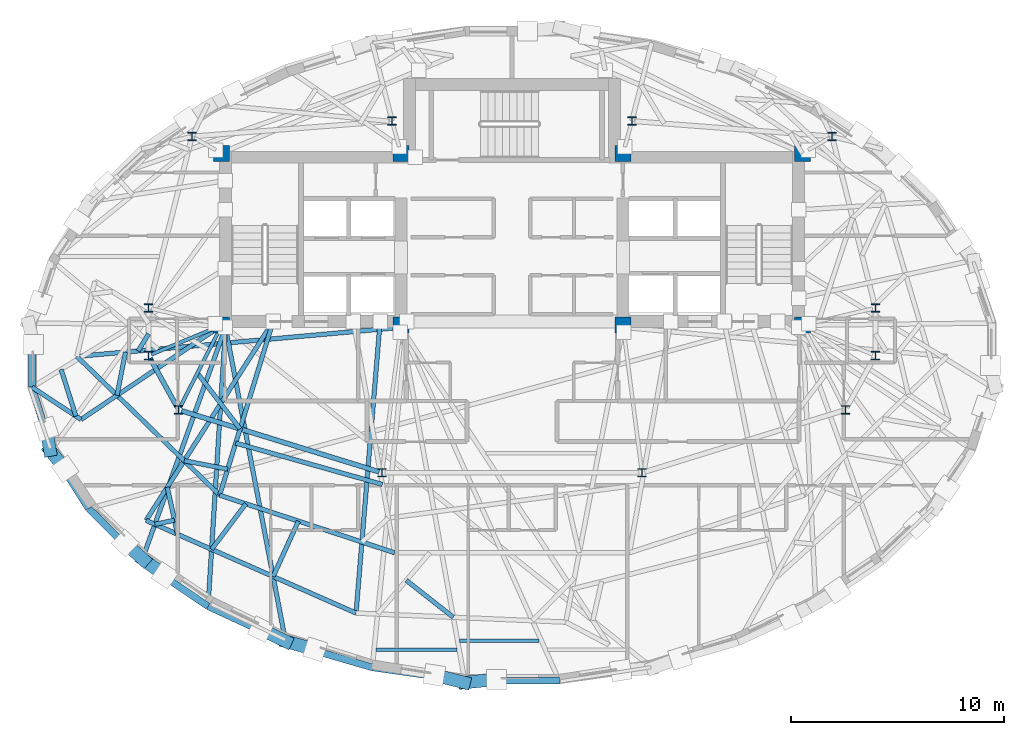
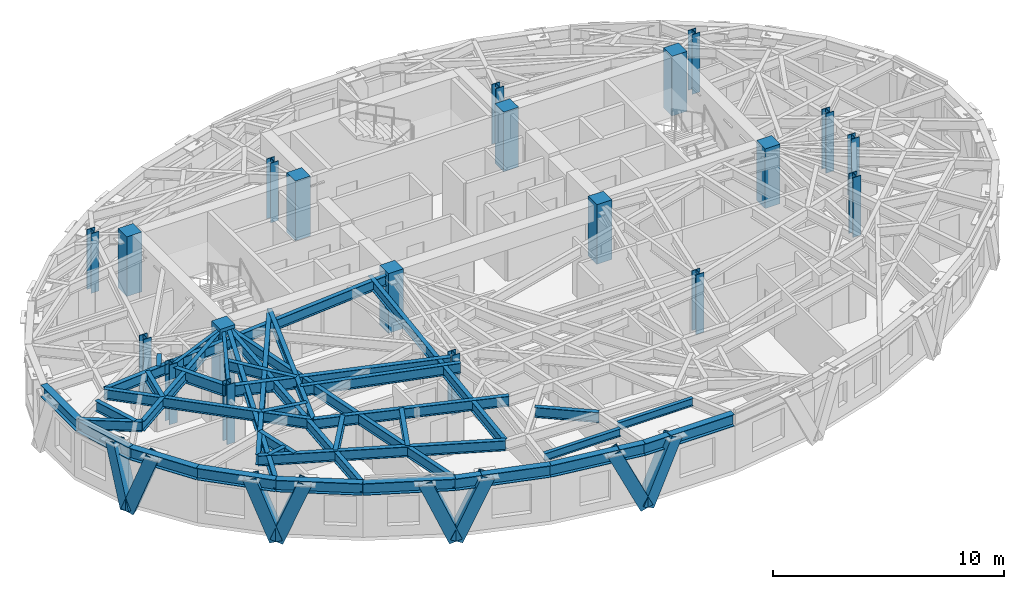
# One storey, part 1 of 14: 38 beams, 20 columns, 8 members.
"""IFC4 building model written with IfcOpenShell, lengths in metres."""

from ifc_helpers import new_model, si_unit, direction, frame, origin, origin_2d, place, context, subcontext, project, spatial, rectangle, hollow_rectangle, i_section, extrude, material, material_profile, profile_set, type_object, element, save


model = new_model("IFC4")

# Units and contexts
model_context = context("Model", 3, precision=1e-05, world=origin(), true_north=direction((0.0, 1.0)))
body_context = subcontext(model_context, "Body", "Model", "MODEL_VIEW")
ifc_project = project(units=[si_unit("LENGTHUNIT", "METRE"), si_unit("AREAUNIT", "SQUARE_METRE"), si_unit("VOLUMEUNIT", "CUBIC_METRE"), si_unit("PLANEANGLEUNIT", "RADIAN"), si_unit("MASSUNIT", "GRAM", prefix="KILO")], contexts=[model_context])

# Site, building, storey
site_placement = place(None, origin())
site = spatial("IfcSite", under=ifc_project, at=site_placement, CompositionType="ELEMENT")
building_placement = place(site_placement, origin())
building = spatial("IfcBuilding", under=site, at=building_placement, Name="Keldmark Tower", CompositionType="ELEMENT")
storey_placement = place(building_placement, frame((0.0, 0.0, 225.75)))
storey = spatial("IfcBuildingStorey", under=building, at=storey_placement, Name="L63", CompositionType="ELEMENT", Elevation=225.75)

# Columns
ifc_material_1 = material(Name="Concrete C50/60", Category="concrete")
ifc_material_profile_1 = material_profile(ifc_material_1, rectangle(XDim=0.75, YDim=0.75, at=origin_2d()), Name="RC750X750")
ifc_profile_set_1 = profile_set([ifc_material_profile_1], Name="Concrete C50/60")
column_type_1 = type_object("IfcColumnType", Name="Core Boundary Column RC750", PredefinedType="PILASTER", material=ifc_profile_set_1)
for number, where, z_axis, x_axis, name in (
    (1, (-13.60009765625, 1.39990234375, 0.0), (0.0, 0.0, 1.0), (1.0, 0.0, 0.0), "L63 Core Boundary Column CC-W1"),
    (2, (-13.60009765625, 9.449951171875, 0.0), (0.0, 0.0, 1.0), (1.0, 0.0, 0.0), "L63 Core Boundary Column CC-W2"),
    (3, (-5.199951171875, 1.39990234375, 0.0), (0.0, 0.0, 1.0), (1.0, 0.0, 0.0), "L63 Core Boundary Column CC-W3"),
    (4, (-5.199951171875, 9.449951171875, 0.0), (0.0, 0.0, 1.0), (1.0, 0.0, 0.0), "L63 Core Boundary Column CC-W4"),
    (5, (5.199951171875, 1.39990234375, 0.0), (0.0, 0.0, 1.0), (1.0, 0.0, 0.0), "L63 Core Boundary Column CC-E1"),
    (6, (5.199951171875, 9.449951171875, 0.0), (0.0, 0.0, 1.0), (1.0, 0.0, 0.0), "L63 Core Boundary Column CC-E2"),
    (7, (13.60009765625, 1.39990234375, 0.0), (0.0, 0.0, 1.0), (1.0, 0.0, 0.0), "L63 Core Boundary Column CC-E3"),
    (8, (13.60009765625, 9.449951171875, 0.0), (0.0, 0.0, 1.0), (1.0, 0.0, 0.0), "L63 Core Boundary Column CC-E4"),
):
    element("IfcColumn", number, at=place(storey_placement, frame(where, z_axis=z_axis, x_axis=x_axis)), inside=storey, type_object=column_type_1, Name=name, PredefinedType="PILASTER", context=body_context, shape_type="SweptSolid", body=[
        extrude(rectangle(XDim=0.75, YDim=0.75, at=origin_2d()), origin(), (0.0, 0.0, 1.0), 3.14990234375),
    ])
ifc_material_2 = material(Name="Steel ASTM A992 Grade 50", Category="steel")
ifc_material_profile_2 = material_profile(ifc_material_2, i_section(OverallWidth=0.39892578125, OverallDepth=0.386962890625, WebThickness=0.02099609375, FlangeThickness=0.033203125, at=origin_2d()), Name="W14X176")
ifc_profile_set_2 = profile_set([ifc_material_profile_2], Name="Steel ASTM A992 Grade 50")
column_type_2 = type_object("IfcColumnType", Name="Tower Gravity Column W14X176", PredefinedType="COLUMN", material=ifc_profile_set_2)
for number, where, z_axis, x_axis, name in (
    (9, (17.025634765625, 2.2080078125, 0.0), (0.0, 0.0, 1.0), (1.0, 0.0, 0.0), "L63 Tower Gravity Column TC-E1"),
    (10, (14.995849609375, 10.24365234375, 0.0), (0.0, 0.0, 1.0), (1.0, 0.0, 0.0), "L63 Tower Gravity Column TC-E4"),
    (11, (5.61865234375, 10.967041015625, 0.0), (0.0, 0.0, 1.0), (1.0, 0.0, 0.0), "L63 Tower Gravity Column TC-N2"),
    (12, (-5.61865234375, 10.967041015625, 0.0), (0.0, 0.0, 1.0), (1.0, 0.0, 0.0), "L63 Tower Gravity Column TC-N1"),
    (13, (-14.995849609375, 10.24365234375, 0.0), (0.0, 0.0, 1.0), (1.0, 0.0, 0.0), "L63 Tower Gravity Column TC-W4"),
    (14, (-17.025634765625, 2.2080078125, 0.0), (0.0, 0.0, 1.0), (1.0, 0.0, 0.0), "L63 Tower Gravity Column TC-W1"),
    (15, (-17.025634765625, -0.02392578125, 0.0), (0.0, 0.0, 1.0), (1.0, 0.0, 0.0), "L63 Tower Gravity Column TC-W5"),
    (16, (-15.6162109375, -2.5673828125, 0.0), (0.0, 0.0, 1.0), (1.0, 0.0, 0.0), "L63 Tower Gravity Column TC-W2"),
    (17, (-6.089599609375, -5.512939453125, 0.0), (0.0, 0.0, 1.0), (1.0, 0.0, 0.0), "L63 Tower Gravity Column TC-W3"),
    (18, (6.089599609375, -5.512939453125, 0.0), (0.0, 0.0, 1.0), (1.0, 0.0, 0.0), "L63 Tower Gravity Column TC-E3"),
    (19, (15.6162109375, -2.5673828125, 0.0), (0.0, 0.0, 1.0), (1.0, 0.0, 0.0), "L63 Tower Gravity Column TC-E2"),
    (20, (17.025634765625, -0.02392578125, 0.0), (0.0, 0.0, 1.0), (1.0, 0.0, 0.0), "L63 Tower Gravity Column TC-E5"),
):
    element("IfcColumn", number, at=place(storey_placement, frame(where, z_axis=z_axis, x_axis=x_axis)), inside=storey, type_object=column_type_2, Name=name, PredefinedType="COLUMN", context=body_context, shape_type="SweptSolid", body=[
        extrude(i_section(OverallWidth=0.39892578125, OverallDepth=0.386962890625, WebThickness=0.02099609375, FlangeThickness=0.033203125, at=origin_2d()), origin(), (0.0, 0.0, 1.0), 3.14990234375),
    ])

# Beams
ifc_material_3 = material(Name="Steel ASTM A992 Grade 50", Category="steel")
ifc_material_profile_3 = material_profile(ifc_material_3, i_section(OverallWidth=0.177978515625, OverallDepth=0.403076171875, WebThickness=0.007568359375, FlangeThickness=0.010986328125, at=origin_2d()), Name="W16X36")
ifc_profile_set_3 = profile_set([ifc_material_profile_3], Name="Steel ASTM A992 Grade 50")
beam_type_1 = type_object("IfcBeamType", Name="Composite Floor Joist W16X36", PredefinedType="JOIST", material=ifc_profile_set_3)
beam_1_placement = place(storey_placement, frame((-6.36572265625, -13.800048828125, 2.7685546875), z_axis=(1.0, 0.0, 0.0), x_axis=(0.0, 1.0, 0.0)))
element("IfcBeam", 21, at=beam_1_placement, inside=storey, type_object=beam_type_1, Name="L63 Composite Floor Joist J01", PredefinedType="JOIST", context=body_context, shape_type="SweptSolid", body=[
    extrude(i_section(OverallWidth=0.177978515625, OverallDepth=0.403076171875, WebThickness=0.007568359375, FlangeThickness=0.010986328125, at=origin_2d()), origin(), (0.0, 0.0, 1.0), 3.79248046875),
])
beam_2_placement = place(storey_placement, frame((-2.453857421875, -13.3798828125, 2.7685546875), z_axis=(1.0, 0.0, 0.0), x_axis=(0.0, 1.0, 0.0)))
element("IfcBeam", 22, at=beam_2_placement, inside=storey, type_object=beam_type_1, Name="L63 Composite Floor Joist J02", PredefinedType="JOIST", context=body_context, shape_type="SweptSolid", body=[
    extrude(i_section(OverallWidth=0.177978515625, OverallDepth=0.403076171875, WebThickness=0.007568359375, FlangeThickness=0.010986328125, at=origin_2d()), origin(), (0.0, 0.0, 1.0), 3.725830078125),
])

# Members
ifc_material_4 = material(Name="Steel ASTM A572 Grade 50", Category="steel")
ifc_material_profile_4 = material_profile(ifc_material_4, hollow_rectangle(XDim=0.60009765625, YDim=0.60009765625, WallThickness=0.034912109375, at=origin_2d()), Name="BOX600X600X35")
ifc_profile_set_4 = profile_set([ifc_material_profile_4], Name="Steel ASTM A572 Grade 50")
member_type = type_object("IfcMemberType", Name="Diagrid Zone 4 Brace BOX600X600X35", PredefinedType="BRACE", material=ifc_profile_set_4)
member_1_placement = place(storey_placement, frame((-21.648681640625, -4.4599609375, -0.260009765625), z_axis=(-0.052359262736, 0.30736826458, 0.950149071217), x_axis=(-0.985799271193, -0.16792795156, 0.0)))
element("IfcMember", 23, at=member_1_placement, inside=storey, type_object=member_type, Name="L63 Perimeter Diagrid Brace 09A", PredefinedType="BRACE", context=body_context, shape_type="SweptSolid", body=[
    extrude(hollow_rectangle(XDim=0.60009765625, YDim=0.60009765625, WallThickness=0.034912109375, at=origin_2d()), origin(), (0.0, 0.0, 1.0), 3.273193359375),
])
member_2_placement = place(storey_placement, frame((-21.651123046875, -4.448486328125, -0.260009765625), z_axis=(0.214858487327, -0.268665244016, 0.938964758168), x_axis=(0.780973315, 0.624564393203, 0.0)))
element("IfcMember", 24, at=member_2_placement, inside=storey, type_object=member_type, Name="L63 Perimeter Diagrid Brace 09B", PredefinedType="BRACE", context=body_context, shape_type="SweptSolid", body=[
    extrude(hollow_rectangle(XDim=0.60009765625, YDim=0.60009765625, WallThickness=0.034912109375, at=origin_2d()), origin(), (0.0, 0.0, 1.0), 3.312255859375),
])
member_3_placement = place(storey_placement, frame((-17.247802734375, -9.6005859375, -0.260009765625), z_axis=(-0.264157929949, 0.238629754547, 0.934492604727), x_axis=(-0.670341168398, -0.742053042546, 0.0)))
element("IfcMember", 25, at=member_3_placement, inside=storey, type_object=member_type, Name="L63 Perimeter Diagrid Brace 10A", PredefinedType="BRACE", context=body_context, shape_type="SweptSolid", body=[
    extrude(hollow_rectangle(XDim=0.60009765625, YDim=0.60009765625, WallThickness=0.034912109375, at=origin_2d()), origin(), (0.0, 0.0, 1.0), 3.328125),
])
member_4_placement = place(storey_placement, frame((-17.25439453125, -9.5908203125, -0.260009765625), z_axis=(0.29491050616, -0.218755106822, 0.930147298333), x_axis=(0.595760039793, 0.803162483552, 0.0)))
element("IfcMember", 26, at=member_4_placement, inside=storey, type_object=member_type, Name="L63 Perimeter Diagrid Brace 10B", PredefinedType="BRACE", context=body_context, shape_type="SweptSolid", body=[
    extrude(hollow_rectangle(XDim=0.60009765625, YDim=0.60009765625, WallThickness=0.034912109375, at=origin_2d()), origin(), (0.0, 0.0, 1.0), 3.34375),
])
member_5_placement = place(storey_placement, frame((-10.5751953125, -13.41943359375, -0.260009765625), z_axis=(-0.355151526053, 0.170143701429, 0.919194492154), x_axis=(-0.432051880962, -0.901848752373, 0.0)))
element("IfcMember", 27, at=member_5_placement, inside=storey, type_object=member_type, Name="L63 Perimeter Diagrid Brace 11A", PredefinedType="BRACE", context=body_context, shape_type="SweptSolid", body=[
    extrude(hollow_rectangle(XDim=0.60009765625, YDim=0.60009765625, WallThickness=0.034912109375, at=origin_2d()), origin(), (0.0, 0.0, 1.0), 3.383544921875),
])
member_6_placement = place(storey_placement, frame((-10.5849609375, -13.4130859375, -0.260009765625), z_axis=(0.398981240233, -0.111034535695, 0.910211679679), x_axis=(0.26810654072, 0.963389268584, 0.0)))
element("IfcMember", 28, at=member_6_placement, inside=storey, type_object=member_type, Name="L63 Perimeter Diagrid Brace 11B", PredefinedType="BRACE", context=body_context, shape_type="SweptSolid", body=[
    extrude(hollow_rectangle(XDim=0.60009765625, YDim=0.60009765625, WallThickness=0.034912109375, at=origin_2d()), origin(), (0.0, 0.0, 1.0), 3.4169921875),
])
member_7_placement = place(storey_placement, frame((-2.21923828125, -15.34326171875, -0.260009765625), z_axis=(-0.413469198157, 0.104095113257, 0.904548190851), x_axis=(-0.244141875712, -0.96973952406, 0.0)))
element("IfcMember", 29, at=member_7_placement, inside=storey, type_object=member_type, Name="L63 Perimeter Diagrid Brace 12A", PredefinedType="BRACE", context=body_context, shape_type="SweptSolid", body=[
    extrude(hollow_rectangle(XDim=0.60009765625, YDim=0.60009765625, WallThickness=0.034912109375, at=origin_2d()), origin(), (0.0, 0.0, 1.0), 3.438232421875),
])
member_8_placement = place(storey_placement, frame((-2.230712890625, -15.341064453125, -0.260009765625), z_axis=(0.433585186219, 0.04429817692, 0.900023087378), x_axis=(-0.101638103695, 0.994821439193, 0.0)))
element("IfcMember", 30, at=member_8_placement, inside=storey, type_object=member_type, Name="L63 Perimeter Diagrid Brace 12B", PredefinedType="BRACE", context=body_context, shape_type="SweptSolid", body=[
    extrude(hollow_rectangle(XDim=0.60009765625, YDim=0.60009765625, WallThickness=0.034912109375, at=origin_2d()), origin(), (0.0, 0.0, 1.0), 3.45556640625),
])

# Beams
ifc_material_5 = material(Name="Steel ASTM A992 Grade 50", Category="steel")
ifc_material_profile_5 = material_profile(ifc_material_5, i_section(OverallWidth=0.22802734375, OverallDepth=0.60302734375, WebThickness=0.010498046875, FlangeThickness=0.014892578125, at=origin_2d()), Name="W24X68")
ifc_profile_set_5 = profile_set([ifc_material_profile_5], Name="Steel ASTM A992 Grade 50")
beam_type_2 = type_object("IfcBeamType", Name="Primary Floor Girder W24X68", PredefinedType="BEAM", material=ifc_profile_set_5)
beam_3_placement = place(storey_placement, frame((-16.957763671875, -0.146484375, 2.66845703125), z_axis=(0.484719680408, -0.874669555561, 0.0), x_axis=(0.874669555561, 0.484719680408, 0.0)))
element("IfcBeam", 31, at=beam_3_placement, inside=storey, type_object=beam_type_2, Name="L63 Floor Ring Girder FG-R07", PredefinedType="BEAM", context=body_context, shape_type="SweptSolid", body=[
    extrude(i_section(OverallWidth=0.22802734375, OverallDepth=0.60302734375, WebThickness=0.010498046875, FlangeThickness=0.014892578125, at=origin_2d()), origin(), (0.0, 0.0, 1.0), 2.627685546875),
])
beam_4_placement = place(storey_placement, frame((-15.482421875, -2.60888671875, 2.66845703125), z_axis=(0.955383255089, -0.295368982622, 0.0), x_axis=(0.295368982622, 0.955383255089, 0.0)))
element("IfcBeam", 32, at=beam_4_placement, inside=storey, type_object=beam_type_2, Name="L63 Floor Ring Girder FG-R08", PredefinedType="BEAM", context=body_context, shape_type="SweptSolid", body=[
    extrude(i_section(OverallWidth=0.22802734375, OverallDepth=0.60302734375, WebThickness=0.010498046875, FlangeThickness=0.014892578125, at=origin_2d()), origin(), (0.0, 0.0, 1.0), 9.69140625),
])
ifc_material_6 = material(Name="Steel ASTM A992 Grade 50", Category="steel")
ifc_material_profile_6 = material_profile(ifc_material_6, i_section(OverallWidth=0.166015625, OverallDepth=0.529052734375, WebThickness=0.009765625, FlangeThickness=0.013671875, at=origin_2d()), Name="W21X50")
ifc_profile_set_6 = profile_set([ifc_material_profile_6], Name="Steel ASTM A992 Grade 50")
beam_type_3 = type_object("IfcBeamType", Name="Radial Tie Girder W21X50", PredefinedType="BEAM", material=ifc_profile_set_6)
beam_5_placement = place(storey_placement, frame((-16.896240234375, 0.02978515625, 2.70556640625), z_axis=(0.923403331902, 0.383831065226, 0.0), x_axis=(-0.383831065226, 0.923403331902, 0.0)))
element("IfcBeam", 33, at=beam_5_placement, inside=storey, type_object=beam_type_3, Name="L63 Floor Radial Girder FG-C07", PredefinedType="BEAM", context=body_context, shape_type="SweptSolid", body=[
    extrude(i_section(OverallWidth=0.166015625, OverallDepth=0.529052734375, WebThickness=0.009765625, FlangeThickness=0.013671875, at=origin_2d()), origin(), (0.0, 0.0, 1.0), 3.249755859375),
])
beam_6_placement = place(storey_placement, frame((-15.552734375, -2.442626953125, 2.70556640625), z_axis=(0.453004410574, 0.89150827478, 0.0), x_axis=(-0.89150827478, 0.453004410574, 0.0)))
element("IfcBeam", 34, at=beam_6_placement, inside=storey, type_object=beam_type_3, Name="L63 Floor Radial Girder FG-C08", PredefinedType="BEAM", context=body_context, shape_type="SweptSolid", body=[
    extrude(i_section(OverallWidth=0.166015625, OverallDepth=0.529052734375, WebThickness=0.009765625, FlangeThickness=0.013671875, at=origin_2d()), origin(), (0.0, 0.0, 1.0), 3.990234375),
])
ifc_material_7 = material(Name="Steel ASTM A992 Grade 50", Category="steel")
ifc_material_profile_7 = material_profile(ifc_material_7, i_section(OverallWidth=0.2099609375, OverallDepth=0.537109375, WebThickness=0.010986328125, FlangeThickness=0.017333984375, at=origin_2d()), Name="W21X68")
ifc_profile_set_7 = profile_set([ifc_material_profile_7], Name="Steel ASTM A992 Grade 50")
beam_type_4 = type_object("IfcBeamType", Name="Radial Tie Girder W21X68", PredefinedType="BEAM", material=ifc_profile_set_7)
beam_7_placement = place(storey_placement, frame((-17.025634765625, 0.994384765625, 2.701416015625), z_axis=(-0.523690742514, -0.851908449427, 0.0), x_axis=(0.851908449427, -0.523690742514, 0.0)))
element("IfcBeam", 35, at=beam_7_placement, inside=storey, type_object=beam_type_4, Name="L63 Framing Pin Header PH-001", PredefinedType="BEAM", context=body_context, shape_type="SweptSolid", body=[
    extrude(i_section(OverallWidth=0.2099609375, OverallDepth=0.537109375, WebThickness=0.010986328125, FlangeThickness=0.017333984375, at=origin_2d()), origin(), (0.0, 0.0, 1.0), 0.93798828125),
])
beam_8_placement = place(storey_placement, frame((-5.199951171875, 1.300048828125, 2.701416015625), z_axis=(-0.996000916079, -0.089343019709, 0.0), x_axis=(0.089343019709, -0.996000916079, 0.0)))
element("IfcBeam", 36, at=beam_8_placement, inside=storey, type_object=beam_type_4, Name="L63 Sub-Ring Step Girder STP1-M07", PredefinedType="BEAM", context=body_context, shape_type="SweptSolid", body=[
    extrude(i_section(OverallWidth=0.2099609375, OverallDepth=0.537109375, WebThickness=0.010986328125, FlangeThickness=0.017333984375, at=origin_2d()), origin(), (0.0, 0.0, 1.0), 15.245361328125),
])
beam_9_placement = place(storey_placement, frame((-14.7392578125, -0.841796875, 2.701416015625), z_axis=(0.60729864394, -0.794473635225, 0.0), x_axis=(0.794473635225, 0.60729864394, 0.0)))
element("IfcBeam", 37, at=beam_9_placement, inside=storey, type_object=beam_type_4, Name="L63 Framing Pin Header PH-002", PredefinedType="BEAM", context=body_context, shape_type="SweptSolid", body=[
    extrude(i_section(OverallWidth=0.2099609375, OverallDepth=0.537109375, WebThickness=0.010986328125, FlangeThickness=0.017333984375, at=origin_2d()), origin(), (0.0, 0.0, 1.0), 3.290771484375),
])
beam_10_placement = place(storey_placement, frame((-11.19287109375, 1.574951171875, 2.701416015625), z_axis=(-0.294033458394, -0.955795127287, 0.0), x_axis=(0.955795127287, -0.294033458394, 0.0)))
element("IfcBeam", 38, at=beam_10_placement, inside=storey, type_object=beam_type_4, Name="L63 Sub-Ring Step Girder STP1-M08", PredefinedType="BEAM", context=body_context, shape_type="SweptSolid", body=[
    extrude(i_section(OverallWidth=0.2099609375, OverallDepth=0.537109375, WebThickness=0.010986328125, FlangeThickness=0.017333984375, at=origin_2d()), origin(), (0.0, 0.0, 1.0), 8.51416015625),
])
beam_11_placement = place(storey_placement, frame((-12.9453125, -4.12158203125, 2.701416015625), z_axis=(0.962495934429, -0.271296104297, 0.0), x_axis=(0.271296104297, 0.962495934429, 0.0)))
element("IfcBeam", 39, at=beam_11_placement, inside=storey, type_object=beam_type_4, Name="L63 Framing Pin Header PH-003", PredefinedType="BEAM", context=body_context, shape_type="SweptSolid", body=[
    extrude(i_section(OverallWidth=0.2099609375, OverallDepth=0.537109375, WebThickness=0.010986328125, FlangeThickness=0.017333984375, at=origin_2d()), origin(), (0.0, 0.0, 1.0), 7.139892578125),
])
beam_12_placement = place(storey_placement, frame((-20.38427734375, -0.06201171875, 2.701416015625), z_axis=(0.717074138829, -0.696996900584, 0.0), x_axis=(0.696996900584, 0.717074138829, 0.0)))
element("IfcBeam", 40, at=beam_12_placement, inside=storey, type_object=beam_type_4, Name="L63 Perimeter Collector Ring Beam CRG1-M07", PredefinedType="BEAM", context=body_context, shape_type="SweptSolid", body=[
    extrude(i_section(OverallWidth=0.2099609375, OverallDepth=0.537109375, WebThickness=0.010986328125, FlangeThickness=0.017333984375, at=origin_2d()), origin(), (0.0, 0.0, 1.0), 9.32666015625),
])
beam_13_placement = place(storey_placement, frame((-13.6962890625, -6.562744140625, 2.701416015625), z_axis=(0.949865412002, -0.312659078043, 0.0), x_axis=(0.312659078043, 0.949865412002, 0.0)))
element("IfcBeam", 41, at=beam_13_placement, inside=storey, type_object=beam_type_4, Name="L63 Perimeter Collector Ring Beam CRG1-M08", PredefinedType="BEAM", context=body_context, shape_type="SweptSolid", body=[
    extrude(i_section(OverallWidth=0.2099609375, OverallDepth=0.537109375, WebThickness=0.010986328125, FlangeThickness=0.017333984375, at=origin_2d()), origin(), (0.0, 0.0, 1.0), 8.625244140625),
])
beam_14_placement = place(storey_placement, frame((-13.32080078125, -5.342041015625, 2.701416015625), z_axis=(-0.981796843446, 0.189934089095, 0.0), x_axis=(-0.189934089095, -0.981796843446, 0.0)))
element("IfcBeam", 42, at=beam_14_placement, inside=storey, type_object=beam_type_4, Name="L63 Framing Pin Header PH-008", PredefinedType="BEAM", context=body_context, shape_type="SweptSolid", body=[
    extrude(i_section(OverallWidth=0.2099609375, OverallDepth=0.537109375, WebThickness=0.010986328125, FlangeThickness=0.017333984375, at=origin_2d()), origin(), (0.0, 0.0, 1.0), 2.07470703125),
])
beam_15_placement = place(storey_placement, frame((-11.19287109375, 1.574951171875, 2.701416015625), z_axis=(-0.538149269773, -0.842849549708, 0.0), x_axis=(0.842849549708, -0.538149269773, 0.0)))
element("IfcBeam", 43, at=beam_15_placement, inside=storey, type_object=beam_type_4, Name="L63 Sub-Ring Step Girder STP2-M08", PredefinedType="BEAM", context=body_context, shape_type="SweptSolid", body=[
    extrude(i_section(OverallWidth=0.2099609375, OverallDepth=0.537109375, WebThickness=0.010986328125, FlangeThickness=0.017333984375, at=origin_2d()), origin(), (0.0, 0.0, 1.0), 11.05712890625),
])
beam_16_placement = place(storey_placement, frame((-6.1787109375, 1.574951171875, 2.701416015625), z_axis=(-0.082277580247, -0.996609451986, 0.0), x_axis=(0.996609451986, -0.082277580247, 0.0)))
element("IfcBeam", 44, at=beam_16_placement, inside=storey, type_object=beam_type_4, Name="L63 Sub-Ring Step Girder STP2-M09", PredefinedType="BEAM", context=body_context, shape_type="SweptSolid", body=[
    extrude(i_section(OverallWidth=0.2099609375, OverallDepth=0.537109375, WebThickness=0.010986328125, FlangeThickness=0.017333984375, at=origin_2d()), origin(), (0.0, 0.0, 1.0), 13.708740234375),
])
beam_17_placement = place(storey_placement, frame((-17.143310546875, -7.74462890625, 2.701416015625), z_axis=(0.914812465318, -0.403878884443, 0.0), x_axis=(0.403878884443, 0.914812465318, 0.0)))
element("IfcBeam", 45, at=beam_17_placement, inside=storey, type_object=beam_type_4, Name="L63 Perimeter Collector Ring Beam CRG2-M08", PredefinedType="BEAM", context=body_context, shape_type="SweptSolid", body=[
    extrude(i_section(OverallWidth=0.2099609375, OverallDepth=0.537109375, WebThickness=0.010986328125, FlangeThickness=0.017333984375, at=origin_2d()), origin(), (0.0, 0.0, 1.0), 10.752685546875),
])
beam_18_placement = place(storey_placement, frame((-18.106689453125, 0.142333984375, 2.701416015625), z_axis=(-0.193867785279, -0.98102766619, 0.0), x_axis=(0.98102766619, -0.193867785279, 0.0)))
element("IfcBeam", 46, at=beam_18_placement, inside=storey, type_object=beam_type_4, Name="L63 Framing Pin Header PH-022", PredefinedType="BEAM", context=body_context, shape_type="SweptSolid", body=[
    extrude(i_section(OverallWidth=0.2099609375, OverallDepth=0.537109375, WebThickness=0.010986328125, FlangeThickness=0.017333984375, at=origin_2d()), origin(), (0.0, 0.0, 1.0), 2.06787109375),
])
beam_19_placement = place(storey_placement, frame((-13.60009765625, 1.39990234375, 2.701416015625), z_axis=(-0.830917336648, -0.556395883933, 0.0), x_axis=(0.556395883933, -0.830917336648, 0.0)))
element("IfcBeam", 47, at=beam_19_placement, inside=storey, type_object=beam_type_4, Name="L63 Intermediate Radial Step Girder RT-18M", PredefinedType="BEAM", context=body_context, shape_type="SweptSolid", body=[
    extrude(i_section(OverallWidth=0.2099609375, OverallDepth=0.537109375, WebThickness=0.010986328125, FlangeThickness=0.017333984375, at=origin_2d()), origin(), (0.0, 0.0, 1.0), 7.935546875),
])
beam_20_placement = place(storey_placement, frame((-22.484130859375, -1.501708984375, 2.701416015625), z_axis=(0.834260081953, -0.551371123346, 0.0), x_axis=(0.551371123346, 0.834260081953, 0.0)))
element("IfcBeam", 48, at=beam_20_placement, inside=storey, type_object=beam_type_4, Name="L63 Local Collector Chord RT-18C", PredefinedType="BEAM", context=body_context, shape_type="SweptSolid", body=[
    extrude(i_section(OverallWidth=0.2099609375, OverallDepth=0.537109375, WebThickness=0.010986328125, FlangeThickness=0.017333984375, at=origin_2d()), origin(), (0.0, 0.0, 1.0), 2.745361328125),
])
beam_21_placement = place(storey_placement, frame((-21.125244140625, -0.6689453125, 2.701416015625), z_axis=(0.302194390435, -0.953246321991, 0.0), x_axis=(0.953246321991, 0.302194390435, 0.0)))
element("IfcBeam", 49, at=beam_21_placement, inside=storey, type_object=beam_type_4, Name="L63 Framing Pin Header PH-023", PredefinedType="BEAM", context=body_context, shape_type="SweptSolid", body=[
    extrude(i_section(OverallWidth=0.2099609375, OverallDepth=0.537109375, WebThickness=0.010986328125, FlangeThickness=0.017333984375, at=origin_2d()), origin(), (0.0, 0.0, 1.0), 2.296875),
])
beam_22_placement = place(storey_placement, frame((-15.667724609375, -8.39599609375, 2.701416015625), z_axis=(-0.213690431786, 0.976901427659, 0.0), x_axis=(-0.976901427659, -0.213690431786, 0.0)))
element("IfcBeam", 50, at=beam_22_placement, inside=storey, type_object=beam_type_4, Name="L63 Framing Pin Header PH-024", PredefinedType="BEAM", context=body_context, shape_type="SweptSolid", body=[
    extrude(i_section(OverallWidth=0.2099609375, OverallDepth=0.537109375, WebThickness=0.010986328125, FlangeThickness=0.017333984375, at=origin_2d()), origin(), (0.0, 0.0, 1.0), 2.2587890625),
])
beam_23_placement = place(storey_placement, frame((-15.8125, -7.734130859375, 2.701416015625), z_axis=(-0.978791837537, -0.204857362013, 0.0), x_axis=(0.204857362013, -0.978791837537, 0.0)))
element("IfcBeam", 51, at=beam_23_placement, inside=storey, type_object=beam_type_4, Name="L63 Framing Pin Header PH-025", PredefinedType="BEAM", context=body_context, shape_type="SweptSolid", body=[
    extrude(i_section(OverallWidth=0.2099609375, OverallDepth=0.537109375, WebThickness=0.010986328125, FlangeThickness=0.017333984375, at=origin_2d()), origin(), (0.0, 0.0, 1.0), 0.939208984375),
])
beam_24_placement = place(storey_placement, frame((-13.425048828125, 1.300048828125, 2.701416015625), z_axis=(-0.337367308761, -0.941373092339, 0.0), x_axis=(0.941373092339, -0.337367308761, 0.0)))
element("IfcBeam", 52, at=beam_24_placement, inside=storey, type_object=beam_type_4, Name="L63 Perimeter Radial Tie Girder RT-20", PredefinedType="BEAM", context=body_context, shape_type="SweptSolid", body=[
    extrude(i_section(OverallWidth=0.2099609375, OverallDepth=0.537109375, WebThickness=0.010986328125, FlangeThickness=0.017333984375, at=origin_2d()), origin(), (0.0, 0.0, 1.0), 11.639404296875),
])
beam_25_placement = place(storey_placement, frame((-12.46728515625, -6.96728515625, 2.701416015625), z_axis=(-0.601681185776, -0.798736346164, 0.0), x_axis=(0.798736346164, -0.601681185776, 0.0)))
element("IfcBeam", 53, at=beam_25_placement, inside=storey, type_object=beam_type_4, Name="L63 Framing Pin Header PH-026", PredefinedType="BEAM", context=body_context, shape_type="SweptSolid", body=[
    extrude(i_section(OverallWidth=0.2099609375, OverallDepth=0.537109375, WebThickness=0.010986328125, FlangeThickness=0.017333984375, at=origin_2d()), origin(), (0.0, 0.0, 1.0), 2.669921875),
])
beam_26_placement = place(storey_placement, frame((-13.425048828125, 1.300048828125, 2.701416015625), z_axis=(-0.062263354486, -0.998059755069, 0.0), x_axis=(0.998059755069, -0.062263354486, 0.0)))
element("IfcBeam", 54, at=beam_26_placement, inside=storey, type_object=beam_type_4, Name="L63 Perimeter Radial Tie Girder RT-21", PredefinedType="BEAM", context=body_context, shape_type="SweptSolid", body=[
    extrude(i_section(OverallWidth=0.2099609375, OverallDepth=0.537109375, WebThickness=0.010986328125, FlangeThickness=0.017333984375, at=origin_2d()), origin(), (0.0, 0.0, 1.0), 13.092529296875),
])
beam_27_placement = place(storey_placement, frame((-10.009521484375, -7.7763671875, 2.701416015625), z_axis=(-0.414428359485, -0.910081938539, 0.0), x_axis=(0.910081938539, -0.414428359485, 0.0)))
element("IfcBeam", 55, at=beam_27_placement, inside=storey, type_object=beam_type_4, Name="L63 Framing Pin Header PH-027", PredefinedType="BEAM", context=body_context, shape_type="SweptSolid", body=[
    extrude(i_section(OverallWidth=0.2099609375, OverallDepth=0.537109375, WebThickness=0.010986328125, FlangeThickness=0.017333984375, at=origin_2d()), origin(), (0.0, 0.0, 1.0), 2.8525390625),
])
beam_28_placement = place(storey_placement, frame((-13.425048828125, 1.300048828125, 2.701416015625), z_axis=(0.187941156685, -0.982180289776, 0.0), x_axis=(0.982180289776, 0.187941156685, 0.0)))
element("IfcBeam", 56, at=beam_28_placement, inside=storey, type_object=beam_type_4, Name="L63 Perimeter Radial Tie Girder RT-22", PredefinedType="BEAM", context=body_context, shape_type="SweptSolid", body=[
    extrude(i_section(OverallWidth=0.2099609375, OverallDepth=0.537109375, WebThickness=0.010986328125, FlangeThickness=0.017333984375, at=origin_2d()), origin(), (0.0, 0.0, 1.0), 15.019287109375),
])
beam_29_placement = place(storey_placement, frame((-4.95166015625, -10.5517578125, 2.701416015625), z_axis=(0.786145940169, -0.618040905407, 0.0), x_axis=(0.618040905407, 0.786145940169, 0.0)))
element("IfcBeam", 57, at=beam_29_placement, inside=storey, type_object=beam_type_4, Name="L63 Framing Pin Header PH-029", PredefinedType="BEAM", context=body_context, shape_type="SweptSolid", body=[
    extrude(i_section(OverallWidth=0.2099609375, OverallDepth=0.537109375, WebThickness=0.010986328125, FlangeThickness=0.017333984375, at=origin_2d()), origin(), (0.0, 0.0, 1.0), 2.801513671875),
])
ifc_material_8 = material(Name="Steel ASTM A992 Grade 50", Category="steel")
ifc_material_profile_8 = material_profile(ifc_material_8, i_section(OverallWidth=0.326904296875, OverallDepth=0.6220703125, WebThickness=0.015380859375, FlangeThickness=0.0244140625, at=origin_2d()), Name="W24X131")
ifc_profile_set_8 = profile_set([ifc_material_profile_8], Name="Steel ASTM A992 Grade 50")
beam_type_5 = type_object("IfcBeamType", Name="Spandrel Ring Beam W24X131", PredefinedType="SPANDREL", material=ifc_profile_set_8)
beam_30_placement = place(storey_placement, frame((-22.484130859375, 1.501708984375, 2.658935546875), z_axis=(0.0, -1.0, 0.0), x_axis=(1.0, 0.0, 0.0)))
element("IfcBeam", 58, at=beam_30_placement, inside=storey, type_object=beam_type_5, Name="L63 Perimeter Spandrel Ring Beam SRB-16", PredefinedType="SPANDREL", context=body_context, shape_type="SweptSolid", body=[
    extrude(i_section(OverallWidth=0.326904296875, OverallDepth=0.6220703125, WebThickness=0.015380859375, FlangeThickness=0.0244140625, at=origin_2d()), origin(), (0.0, 0.0, 1.0), 3.00341796875),
])
beam_31_placement = place(storey_placement, frame((-22.484130859375, -1.501708984375, 2.658935546875), z_axis=(0.294989890949, -0.955500373751, 0.0), x_axis=(0.955500373751, 0.294989890949, 0.0)))
element("IfcBeam", 59, at=beam_31_placement, inside=storey, type_object=beam_type_5, Name="L63 Perimeter Spandrel Ring Beam SRB-17", PredefinedType="SPANDREL", context=body_context, shape_type="SweptSolid", body=[
    extrude(i_section(OverallWidth=0.326904296875, OverallDepth=0.6220703125, WebThickness=0.015380859375, FlangeThickness=0.0244140625, at=origin_2d()), origin(), (0.0, 0.0, 1.0), 3.07373046875),
])
beam_32_placement = place(storey_placement, frame((-21.577392578125, -4.438720703125, 2.658935546875), z_axis=(0.53485586517, -0.844943313775, 0.0), x_axis=(0.844943313775, 0.53485586517, 0.0)))
element("IfcBeam", 60, at=beam_32_placement, inside=storey, type_object=beam_type_5, Name="L63 Perimeter Spandrel Ring Beam SRB-18", PredefinedType="SPANDREL", context=body_context, shape_type="SweptSolid", body=[
    extrude(i_section(OverallWidth=0.326904296875, OverallDepth=0.6220703125, WebThickness=0.015380859375, FlangeThickness=0.0244140625, at=origin_2d()), origin(), (0.0, 0.0, 1.0), 3.25634765625),
])
beam_33_placement = place(storey_placement, frame((-19.835693359375, -7.190185546875, 2.658935546875), z_axis=(0.709543498194, -0.704661638072, 0.0), x_axis=(0.704661638072, 0.709543498194, 0.0)))
element("IfcBeam", 61, at=beam_33_placement, inside=storey, type_object=beam_type_5, Name="L63 Perimeter Spandrel Ring Beam SRB-19", PredefinedType="SPANDREL", context=body_context, shape_type="SweptSolid", body=[
    extrude(i_section(OverallWidth=0.326904296875, OverallDepth=0.6220703125, WebThickness=0.015380859375, FlangeThickness=0.0244140625, at=origin_2d()), origin(), (0.0, 0.0, 1.0), 3.500732421875),
])
beam_34_placement = place(storey_placement, frame((-17.351806640625, -9.656982421875, 2.658935546875), z_axis=(0.827638454008, -0.561261605178, 0.0), x_axis=(0.561261605178, 0.827638454008, 0.0)))
element("IfcBeam", 62, at=beam_34_placement, inside=storey, type_object=beam_type_5, Name="L63 Perimeter Spandrel Ring Beam SRB-20", PredefinedType="SPANDREL", context=body_context, shape_type="SweptSolid", body=[
    extrude(i_section(OverallWidth=0.326904296875, OverallDepth=0.6220703125, WebThickness=0.015380859375, FlangeThickness=0.0244140625, at=origin_2d()), origin(), (0.0, 0.0, 1.0), 3.759521484375),
])
beam_35_placement = place(storey_placement, frame((-14.240234375, -11.76708984375, 2.658935546875), z_axis=(0.907434658488, -0.420193218144, 0.0), x_axis=(0.420193218144, 0.907434658488, 0.0)))
element("IfcBeam", 63, at=beam_35_placement, inside=storey, type_object=beam_type_5, Name="L63 Perimeter Spandrel Ring Beam SRB-21", PredefinedType="SPANDREL", context=body_context, shape_type="SweptSolid", body=[
    extrude(i_section(OverallWidth=0.326904296875, OverallDepth=0.6220703125, WebThickness=0.015380859375, FlangeThickness=0.0244140625, at=origin_2d()), origin(), (0.0, 0.0, 1.0), 4.009033203125),
])
beam_36_placement = place(storey_placement, frame((-10.602294921875, -13.45166015625, 2.658935546875), z_axis=(0.960133847787, -0.279540684576, 0.0), x_axis=(0.279540684576, 0.960133847787, 0.0)))
element("IfcBeam", 64, at=beam_36_placement, inside=storey, type_object=beam_type_5, Name="L63 Perimeter Spandrel Ring Beam SRB-22", PredefinedType="SPANDREL", context=body_context, shape_type="SweptSolid", body=[
    extrude(i_section(OverallWidth=0.326904296875, OverallDepth=0.6220703125, WebThickness=0.015380859375, FlangeThickness=0.0244140625, at=origin_2d()), origin(), (0.0, 0.0, 1.0), 4.225341796875),
])
beam_37_placement = place(storey_placement, frame((-6.54541015625, -14.6328125, 2.658935546875), z_axis=(0.990067470806, -0.140593041263, 0.0), x_axis=(0.140593041263, 0.990067470806, 0.0)))
element("IfcBeam", 65, at=beam_37_placement, inside=storey, type_object=beam_type_5, Name="L63 Perimeter Spandrel Ring Beam SRB-23", PredefinedType="SPANDREL", context=body_context, shape_type="SweptSolid", body=[
    extrude(i_section(OverallWidth=0.326904296875, OverallDepth=0.6220703125, WebThickness=0.015380859375, FlangeThickness=0.0244140625, at=origin_2d()), origin(), (0.0, 0.0, 1.0), 4.374267578125),
])
beam_38_placement = place(storey_placement, frame((-2.214599609375, -15.247802734375, 2.658935546875), z_axis=(1.0, 0.0, 0.0), x_axis=(0.0, 1.0, 0.0)))
element("IfcBeam", 66, at=beam_38_placement, inside=storey, type_object=beam_type_5, Name="L63 Perimeter Spandrel Ring Beam SRB-24", PredefinedType="SPANDREL", context=body_context, shape_type="SweptSolid", body=[
    extrude(i_section(OverallWidth=0.326904296875, OverallDepth=0.6220703125, WebThickness=0.015380859375, FlangeThickness=0.0244140625, at=origin_2d()), origin(), (0.0, 0.0, 1.0), 4.42919921875),
])

save(model, "model.ifc")
